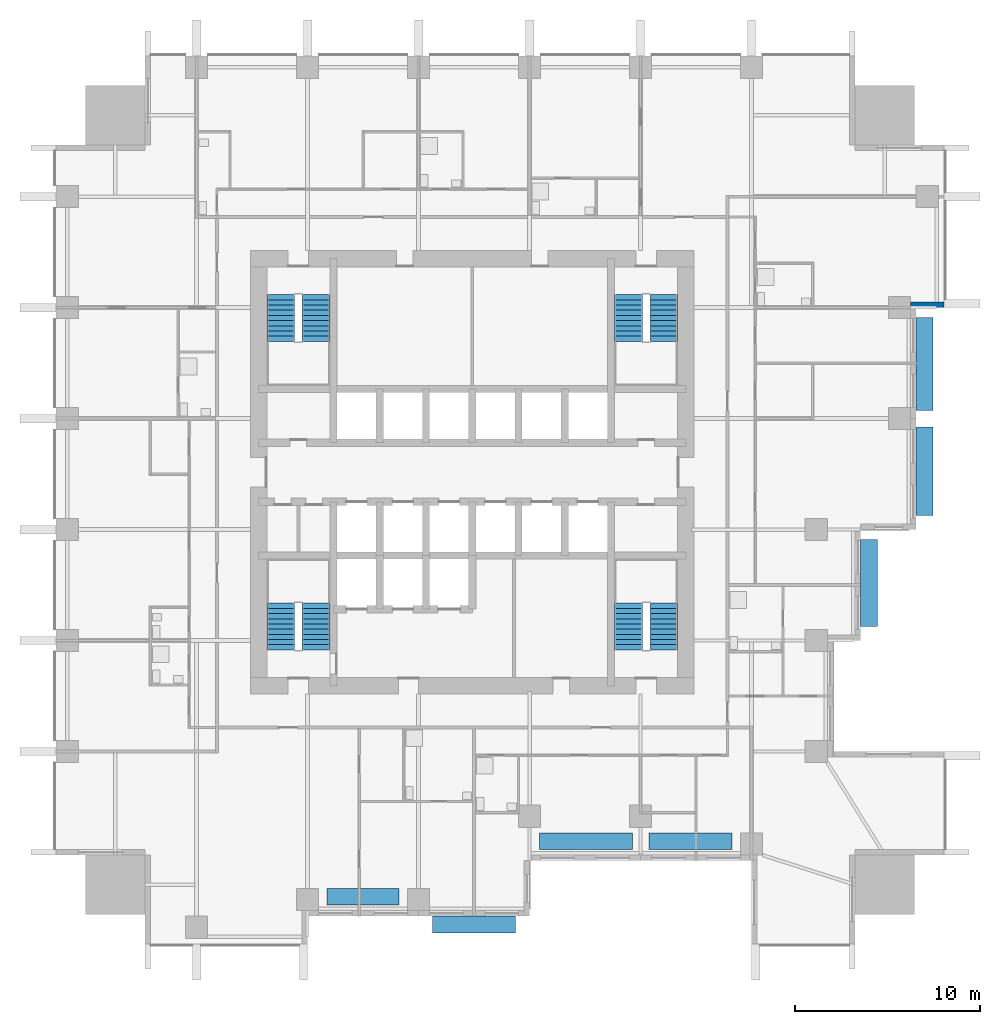
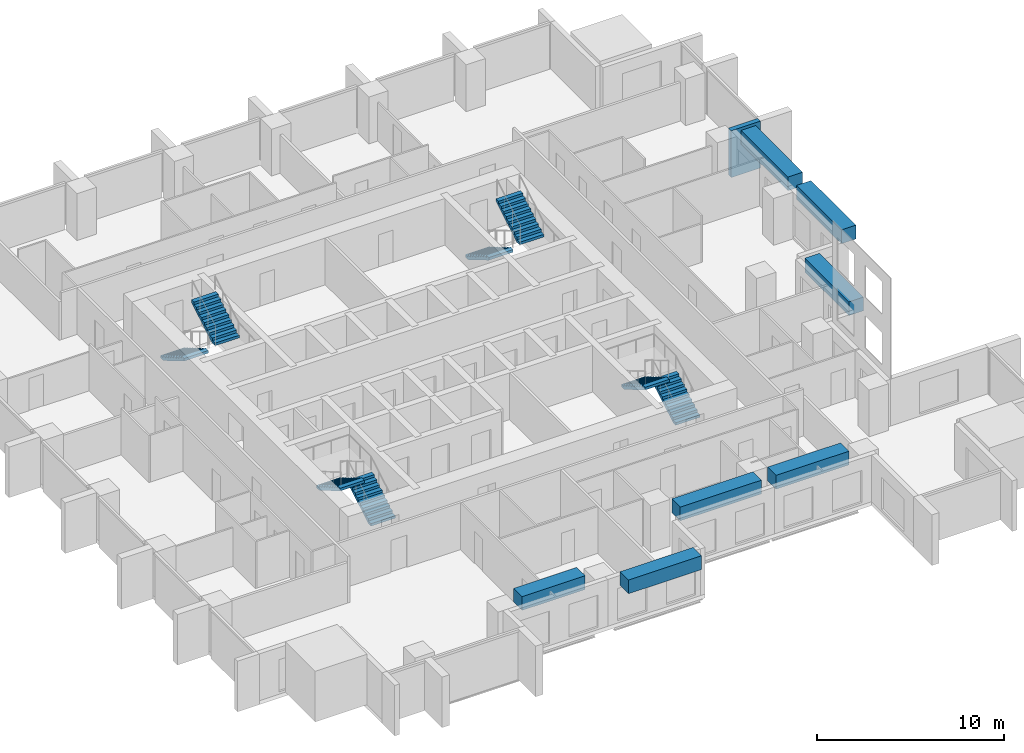
# One storey, part 8 of 10: 8 stair flights, 7 discrete accessories, 1 wall, 4 elements without a shape of their own.
"""IFC4 building model written with IfcOpenShell, lengths in metres."""

from ifc_helpers import new_model, si_unit, direction, frame, frame_2d, origin, origin_2d, place, context, subcontext, project, spatial, polyline, rectangle, outline, extrude, material, layer, layer_set, type_object, element, aggregate, save


model = new_model("IFC4")

# Units and contexts
model_context = context("Model", 3, precision=1e-05, world=origin(), true_north=direction((0.0, 1.0)))
body_context = subcontext(model_context, "Body", "Model", "MODEL_VIEW")
ifc_project = project(units=[si_unit("LENGTHUNIT", "METRE"), si_unit("AREAUNIT", "SQUARE_METRE"), si_unit("VOLUMEUNIT", "CUBIC_METRE"), si_unit("PLANEANGLEUNIT", "RADIAN"), si_unit("MASSUNIT", "GRAM", prefix="KILO")], contexts=[model_context])

# Site, building, storey
site_placement = place(None, origin())
site = spatial("IfcSite", under=ifc_project, at=site_placement, CompositionType="ELEMENT")
building_placement = place(site_placement, origin())
building = spatial("IfcBuilding", under=site, at=building_placement, Name="Amberfall Residences", CompositionType="ELEMENT")
storey_placement = place(building_placement, frame((0.0, 0.0, 40.0)))
storey = spatial("IfcBuildingStorey", under=building, at=storey_placement, Name="L10", CompositionType="ELEMENT", Elevation=40.0)

# Wall
ifc_material_1 = material(Name="Pale stone cladding on insulated backing", Category="masonry")
ifc_layer = layer(ifc_material_1, 0.300048828125)
ifc_layer_set = layer_set([ifc_layer], Name="Bronze clad wall 300")
wall_type = type_object("IfcWallType", Name="Bronze clad wall 300", PredefinedType="SOLIDWALL", material=ifc_layer_set)
wall_placement = place(storey_placement, frame((98.199951171875, 54.550048828125, 0.0), z_axis=(0.0, 0.0, 1.0), x_axis=(1.0, 0.0, 0.0)))
element("IfcWall", 1, at=wall_placement, inside=storey, type_object=wall_type, Name="External wall L10 E", PredefinedType="SOLIDWALL", context=body_context, shape_type="SweptSolid", body=[
    extrude(rectangle(XDim=1.800048828125, YDim=0.300048828125, at=frame_2d((0.89990234375, 0.0))), origin(), (0.0, 0.0, 1.0), 3.050048828125),
])

# Stair, stair flights
ifc_material_2 = material(Name="Concrete C40", Category="concrete")
stair_type = type_object("IfcStairType", Name="Exit stair 20 risers 165.0 mm", PredefinedType="HALF_TURN_STAIR", material=ifc_material_2)
stair_1_placement = place(storey_placement, origin())
stair_1 = element("IfcStair", 2, at=stair_1_placement, inside=storey, type_object=stair_type, Name="L10 Exit stair 1", PredefinedType="HALF_TURN_STAIR")
stair_flight_type = type_object("IfcStairFlightType", Name="Stair flight 10 risers 165.0 mm", PredefinedType="STRAIGHT", material=ifc_material_2)
stair_flight_1_placement = place(storey_placement, frame((66.050048828125, 35.89990234375, 0.0), z_axis=(0.0, 0.0, 1.0), x_axis=(0.0, 1.0, 0.0)))
stair_flight_1 = element("IfcStairFlight", 3, at=stair_flight_1_placement, type_object=stair_flight_type, Name="ST3 flight 1", NumberOfRisers=10, NumberOfTreads=9, PredefinedType="STRAIGHT", RiserHeight=0.165, TreadLength=0.28, context=body_context, shape_type="SweptSolid", body=[
    extrude(outline(polyline([(0.0, 0.0), (0.0, 0.1650390625), (0.280029296875, 0.1650390625), (0.280029296875, 0.330078125), (0.56005859375, 0.330078125), (0.56005859375, 0.4951171875), (0.840087890625, 0.4951171875), (0.840087890625, 0.659912109375), (1.1201171875, 0.659912109375), (1.1201171875, 0.824951171875), (1.39990234375, 0.824951171875), (1.39990234375, 0.989990234375), (1.679931640625, 0.989990234375), (1.679931640625, 1.155029296875), (1.9599609375, 1.155029296875), (1.9599609375, 1.320068359375), (2.239990234375, 1.320068359375), (2.239990234375, 1.485107421875), (2.52001953125, 1.485107421875), (2.52001953125, 1.64990234375), (2.52001953125, 1.31103515625), (0.295166015625, 0.0), (0.0, 0.0)])), frame((0.0, 0.75, 0.0), z_axis=(0.0, -1.0, 0.0), x_axis=(1.0, 0.0, 0.0)), (0.0, 0.0, 1.0), 1.5),
])
stair_flight_2_placement = place(storey_placement, frame((64.14990234375, 38.419921875, 1.64990234375), z_axis=(0.0, 0.0, 1.0), x_axis=(0.0, -1.0, 0.0)))
stair_flight_2 = element("IfcStairFlight", 4, at=stair_flight_2_placement, type_object=stair_flight_type, Name="ST3 flight 2", NumberOfRisers=10, NumberOfTreads=9, PredefinedType="STRAIGHT", RiserHeight=0.165, TreadLength=0.28, context=body_context, shape_type="SweptSolid", body=[
    extrude(outline(polyline([(0.0, 0.0), (0.0, 0.1650390625), (0.280029296875, 0.1650390625), (0.280029296875, 0.330078125), (0.56005859375, 0.330078125), (0.56005859375, 0.4951171875), (0.840087890625, 0.4951171875), (0.840087890625, 0.659912109375), (1.1201171875, 0.659912109375), (1.1201171875, 0.824951171875), (1.39990234375, 0.824951171875), (1.39990234375, 0.989990234375), (1.679931640625, 0.989990234375), (1.679931640625, 1.155029296875), (1.9599609375, 1.155029296875), (1.9599609375, 1.320068359375), (2.239990234375, 1.320068359375), (2.239990234375, 1.485107421875), (2.52001953125, 1.485107421875), (2.52001953125, 1.64990234375), (2.52001953125, 1.31103515625), (0.295166015625, 0.0), (0.0, 0.0)])), frame((0.0, 0.75, 0.0), z_axis=(0.0, -1.0, 0.0), x_axis=(1.0, 0.0, 0.0)), (0.0, 0.0, 1.0), 1.5),
])
aggregate(stair_1, [stair_flight_1, stair_flight_2])

stair_2_placement = place(storey_placement, origin())
stair_2 = element("IfcStair", 5, at=stair_2_placement, inside=storey, type_object=stair_type, Name="L10 Exit stair 2", PredefinedType="HALF_TURN_STAIR")
stair_flight_3_placement = place(storey_placement, frame((84.85009765625, 35.89990234375, 0.0), z_axis=(0.0, 0.0, 1.0), x_axis=(0.0, 1.0, 0.0)))
stair_flight_3 = element("IfcStairFlight", 6, at=stair_flight_3_placement, type_object=stair_flight_type, Name="ST3 flight 1", NumberOfRisers=10, NumberOfTreads=9, PredefinedType="STRAIGHT", RiserHeight=0.165, TreadLength=0.28, context=body_context, shape_type="SweptSolid", body=[
    extrude(outline(polyline([(0.0, 0.0), (0.0, 0.1650390625), (0.280029296875, 0.1650390625), (0.280029296875, 0.330078125), (0.56005859375, 0.330078125), (0.56005859375, 0.4951171875), (0.840087890625, 0.4951171875), (0.840087890625, 0.659912109375), (1.1201171875, 0.659912109375), (1.1201171875, 0.824951171875), (1.39990234375, 0.824951171875), (1.39990234375, 0.989990234375), (1.679931640625, 0.989990234375), (1.679931640625, 1.155029296875), (1.9599609375, 1.155029296875), (1.9599609375, 1.320068359375), (2.239990234375, 1.320068359375), (2.239990234375, 1.485107421875), (2.52001953125, 1.485107421875), (2.52001953125, 1.64990234375), (2.52001953125, 1.31103515625), (0.295166015625, 0.0), (0.0, 0.0)])), frame((0.0, 0.75, 0.0), z_axis=(0.0, -1.0, 0.0), x_axis=(1.0, 0.0, 0.0)), (0.0, 0.0, 1.0), 1.5),
])
stair_flight_4_placement = place(storey_placement, frame((82.949951171875, 38.419921875, 1.64990234375), z_axis=(0.0, 0.0, 1.0), x_axis=(0.0, -1.0, 0.0)))
stair_flight_4 = element("IfcStairFlight", 7, at=stair_flight_4_placement, type_object=stair_flight_type, Name="ST3 flight 2", NumberOfRisers=10, NumberOfTreads=9, PredefinedType="STRAIGHT", RiserHeight=0.165, TreadLength=0.28, context=body_context, shape_type="SweptSolid", body=[
    extrude(outline(polyline([(0.0, 0.0), (0.0, 0.1650390625), (0.280029296875, 0.1650390625), (0.280029296875, 0.330078125), (0.56005859375, 0.330078125), (0.56005859375, 0.4951171875), (0.840087890625, 0.4951171875), (0.840087890625, 0.659912109375), (1.1201171875, 0.659912109375), (1.1201171875, 0.824951171875), (1.39990234375, 0.824951171875), (1.39990234375, 0.989990234375), (1.679931640625, 0.989990234375), (1.679931640625, 1.155029296875), (1.9599609375, 1.155029296875), (1.9599609375, 1.320068359375), (2.239990234375, 1.320068359375), (2.239990234375, 1.485107421875), (2.52001953125, 1.485107421875), (2.52001953125, 1.64990234375), (2.52001953125, 1.31103515625), (0.295166015625, 0.0), (0.0, 0.0)])), frame((0.0, 0.75, 0.0), z_axis=(0.0, -1.0, 0.0), x_axis=(1.0, 0.0, 0.0)), (0.0, 0.0, 1.0), 1.5),
])
aggregate(stair_2, [stair_flight_3, stair_flight_4])

stair_3_placement = place(storey_placement, origin())
stair_3 = element("IfcStair", 8, at=stair_3_placement, inside=storey, type_object=stair_type, Name="L10 Exit stair 3", PredefinedType="HALF_TURN_STAIR")
stair_flight_5_placement = place(storey_placement, frame((82.949951171875, 55.10009765625, 0.0), z_axis=(0.0, 0.0, 1.0), x_axis=(0.0, -1.0, 0.0)))
stair_flight_5 = element("IfcStairFlight", 9, at=stair_flight_5_placement, type_object=stair_flight_type, Name="ST3 flight 1", NumberOfRisers=10, NumberOfTreads=9, PredefinedType="STRAIGHT", RiserHeight=0.165, TreadLength=0.28, context=body_context, shape_type="SweptSolid", body=[
    extrude(outline(polyline([(0.0, 0.0), (0.0, 0.1650390625), (0.280029296875, 0.1650390625), (0.280029296875, 0.330078125), (0.56005859375, 0.330078125), (0.56005859375, 0.4951171875), (0.840087890625, 0.4951171875), (0.840087890625, 0.659912109375), (1.1201171875, 0.659912109375), (1.1201171875, 0.824951171875), (1.39990234375, 0.824951171875), (1.39990234375, 0.989990234375), (1.679931640625, 0.989990234375), (1.679931640625, 1.155029296875), (1.9599609375, 1.155029296875), (1.9599609375, 1.320068359375), (2.239990234375, 1.320068359375), (2.239990234375, 1.485107421875), (2.52001953125, 1.485107421875), (2.52001953125, 1.64990234375), (2.52001953125, 1.31103515625), (0.295166015625, 0.0), (0.0, 0.0)])), frame((0.0, 0.75, 0.0), z_axis=(0.0, -1.0, 0.0), x_axis=(1.0, 0.0, 0.0)), (0.0, 0.0, 1.0), 1.5),
])
stair_flight_6_placement = place(storey_placement, frame((84.85009765625, 52.580078125, 1.64990234375), z_axis=(0.0, 0.0, 1.0), x_axis=(0.0, 1.0, 0.0)))
stair_flight_6 = element("IfcStairFlight", 10, at=stair_flight_6_placement, type_object=stair_flight_type, Name="ST3 flight 2", NumberOfRisers=10, NumberOfTreads=9, PredefinedType="STRAIGHT", RiserHeight=0.165, TreadLength=0.28, context=body_context, shape_type="SweptSolid", body=[
    extrude(outline(polyline([(0.0, 0.0), (0.0, 0.1650390625), (0.280029296875, 0.1650390625), (0.280029296875, 0.330078125), (0.56005859375, 0.330078125), (0.56005859375, 0.4951171875), (0.840087890625, 0.4951171875), (0.840087890625, 0.659912109375), (1.1201171875, 0.659912109375), (1.1201171875, 0.824951171875), (1.39990234375, 0.824951171875), (1.39990234375, 0.989990234375), (1.679931640625, 0.989990234375), (1.679931640625, 1.155029296875), (1.9599609375, 1.155029296875), (1.9599609375, 1.320068359375), (2.239990234375, 1.320068359375), (2.239990234375, 1.485107421875), (2.52001953125, 1.485107421875), (2.52001953125, 1.64990234375), (2.52001953125, 1.31103515625), (0.295166015625, 0.0), (0.0, 0.0)])), frame((0.0, 0.75, 0.0), z_axis=(0.0, -1.0, 0.0), x_axis=(1.0, 0.0, 0.0)), (0.0, 0.0, 1.0), 1.5),
])
aggregate(stair_3, [stair_flight_5, stair_flight_6])

stair_4_placement = place(storey_placement, origin())
stair_4 = element("IfcStair", 11, at=stair_4_placement, inside=storey, type_object=stair_type, Name="L10 Exit stair 4", PredefinedType="HALF_TURN_STAIR")
stair_flight_7_placement = place(storey_placement, frame((64.14990234375, 55.10009765625, 0.0), z_axis=(0.0, 0.0, 1.0), x_axis=(0.0, -1.0, 0.0)))
stair_flight_7 = element("IfcStairFlight", 12, at=stair_flight_7_placement, type_object=stair_flight_type, Name="ST3 flight 1", NumberOfRisers=10, NumberOfTreads=9, PredefinedType="STRAIGHT", RiserHeight=0.165, TreadLength=0.28, context=body_context, shape_type="SweptSolid", body=[
    extrude(outline(polyline([(0.0, 0.0), (0.0, 0.1650390625), (0.280029296875, 0.1650390625), (0.280029296875, 0.330078125), (0.56005859375, 0.330078125), (0.56005859375, 0.4951171875), (0.840087890625, 0.4951171875), (0.840087890625, 0.659912109375), (1.1201171875, 0.659912109375), (1.1201171875, 0.824951171875), (1.39990234375, 0.824951171875), (1.39990234375, 0.989990234375), (1.679931640625, 0.989990234375), (1.679931640625, 1.155029296875), (1.9599609375, 1.155029296875), (1.9599609375, 1.320068359375), (2.239990234375, 1.320068359375), (2.239990234375, 1.485107421875), (2.52001953125, 1.485107421875), (2.52001953125, 1.64990234375), (2.52001953125, 1.31103515625), (0.295166015625, 0.0), (0.0, 0.0)])), frame((0.0, 0.75, 0.0), z_axis=(0.0, -1.0, 0.0), x_axis=(1.0, 0.0, 0.0)), (0.0, 0.0, 1.0), 1.5),
])
stair_flight_8_placement = place(storey_placement, frame((66.050048828125, 52.580078125, 1.64990234375), z_axis=(0.0, 0.0, 1.0), x_axis=(0.0, 1.0, 0.0)))
stair_flight_8 = element("IfcStairFlight", 13, at=stair_flight_8_placement, type_object=stair_flight_type, Name="ST3 flight 2", NumberOfRisers=10, NumberOfTreads=9, PredefinedType="STRAIGHT", RiserHeight=0.165, TreadLength=0.28, context=body_context, shape_type="SweptSolid", body=[
    extrude(outline(polyline([(0.0, 0.0), (0.0, 0.1650390625), (0.280029296875, 0.1650390625), (0.280029296875, 0.330078125), (0.56005859375, 0.330078125), (0.56005859375, 0.4951171875), (0.840087890625, 0.4951171875), (0.840087890625, 0.659912109375), (1.1201171875, 0.659912109375), (1.1201171875, 0.824951171875), (1.39990234375, 0.824951171875), (1.39990234375, 0.989990234375), (1.679931640625, 0.989990234375), (1.679931640625, 1.155029296875), (1.9599609375, 1.155029296875), (1.9599609375, 1.320068359375), (2.239990234375, 1.320068359375), (2.239990234375, 1.485107421875), (2.52001953125, 1.485107421875), (2.52001953125, 1.64990234375), (2.52001953125, 1.31103515625), (0.295166015625, 0.0), (0.0, 0.0)])), frame((0.0, 0.75, 0.0), z_axis=(0.0, -1.0, 0.0), x_axis=(1.0, 0.0, 0.0)), (0.0, 0.0, 1.0), 1.5),
])
aggregate(stair_4, [stair_flight_7, stair_flight_8])

# Discrete accessories
discrete_accessory_1_placement = place(storey_placement, frame((98.949951171875, 45.550048828125, 2.400146484375), z_axis=(0.0, 0.0, 1.0), x_axis=(0.0, 1.0, 0.0)))
element("IfcDiscreteAccessory", 14, at=discrete_accessory_1_placement, inside=storey, Name="Planter box L11 E7", ObjectType="PLANTER BOX", PredefinedType="USERDEFINED", context=body_context, shape_type="SweptSolid", body=[
    extrude(rectangle(XDim=4.800048828125, YDim=0.89990234375, at=origin_2d()), origin(), (0.0, 0.0, 1.0), 0.89990234375),
])
discrete_accessory_2_placement = place(storey_placement, frame((98.949951171875, 51.35498046875, 2.400146484375), z_axis=(0.0, 0.0, 1.0), x_axis=(0.0, 1.0, 0.0)))
element("IfcDiscreteAccessory", 15, at=discrete_accessory_2_placement, inside=storey, Name="Planter box L11 E8", ObjectType="PLANTER BOX", PredefinedType="USERDEFINED", context=body_context, shape_type="SweptSolid", body=[
    extrude(rectangle(XDim=5.010009765625, YDim=0.89990234375, at=origin_2d()), origin(), (0.0, 0.0, 1.0), 0.89990234375),
])
discrete_accessory_3_placement = place(storey_placement, frame((95.949951171875, 39.5048828125, 2.400146484375), z_axis=(0.0, 0.0, 1.0), x_axis=(0.0, 1.0, 0.0)))
element("IfcDiscreteAccessory", 16, at=discrete_accessory_3_placement, inside=storey, Name="Planter box L11 E5", ObjectType="PLANTER BOX", PredefinedType="USERDEFINED", context=body_context, shape_type="SweptSolid", body=[
    extrude(rectangle(XDim=4.7099609375, YDim=0.89990234375, at=origin_2d()), origin(), (0.0, 0.0, 1.0), 0.89990234375),
])
discrete_accessory_4_placement = place(storey_placement, frame((68.60009765625, 22.550048828125, 2.400146484375), z_axis=(0.0, 0.0, 1.0), x_axis=(1.0, 0.0, 0.0)))
element("IfcDiscreteAccessory", 17, at=discrete_accessory_4_placement, inside=storey, Name="Planter box L11 S3", ObjectType="PLANTER BOX", PredefinedType="USERDEFINED", context=body_context, shape_type="SweptSolid", body=[
    extrude(rectangle(XDim=3.89599609375, YDim=0.89990234375, at=origin_2d()), origin(), (0.0, 0.0, 1.0), 0.89990234375),
])
discrete_accessory_5_placement = place(storey_placement, frame((74.60009765625, 21.050048828125, 2.400146484375), z_axis=(0.0, 0.0, 1.0), x_axis=(1.0, 0.0, 0.0)))
element("IfcDiscreteAccessory", 18, at=discrete_accessory_5_placement, inside=storey, Name="Planter box L11 S5", ObjectType="PLANTER BOX", PredefinedType="USERDEFINED", context=body_context, shape_type="SweptSolid", body=[
    extrude(rectangle(XDim=4.5, YDim=0.89990234375, at=origin_2d()), origin(), (0.0, 0.0, 1.0), 0.89990234375),
])
discrete_accessory_6_placement = place(storey_placement, frame((80.64501953125, 25.550048828125, 2.400146484375), z_axis=(0.0, 0.0, 1.0), x_axis=(1.0, 0.0, 0.0)))
element("IfcDiscreteAccessory", 19, at=discrete_accessory_6_placement, inside=storey, Name="Planter box L11 S7", ObjectType="PLANTER BOX", PredefinedType="USERDEFINED", context=body_context, shape_type="SweptSolid", body=[
    extrude(rectangle(XDim=5.010009765625, YDim=0.89990234375, at=origin_2d()), origin(), (0.0, 0.0, 1.0), 0.89990234375),
])
discrete_accessory_7_placement = place(storey_placement, frame((86.299072265625, 25.550048828125, 2.400146484375), z_axis=(0.0, 0.0, 1.0), x_axis=(1.0, 0.0, 0.0)))
element("IfcDiscreteAccessory", 20, at=discrete_accessory_7_placement, inside=storey, Name="Planter box L11 S8", ObjectType="PLANTER BOX", PredefinedType="USERDEFINED", context=body_context, shape_type="SweptSolid", body=[
    extrude(rectangle(XDim=4.498046875, YDim=0.89990234375, at=origin_2d()), origin(), (0.0, 0.0, 1.0), 0.89990234375),
])

save(model, "model.ifc")
